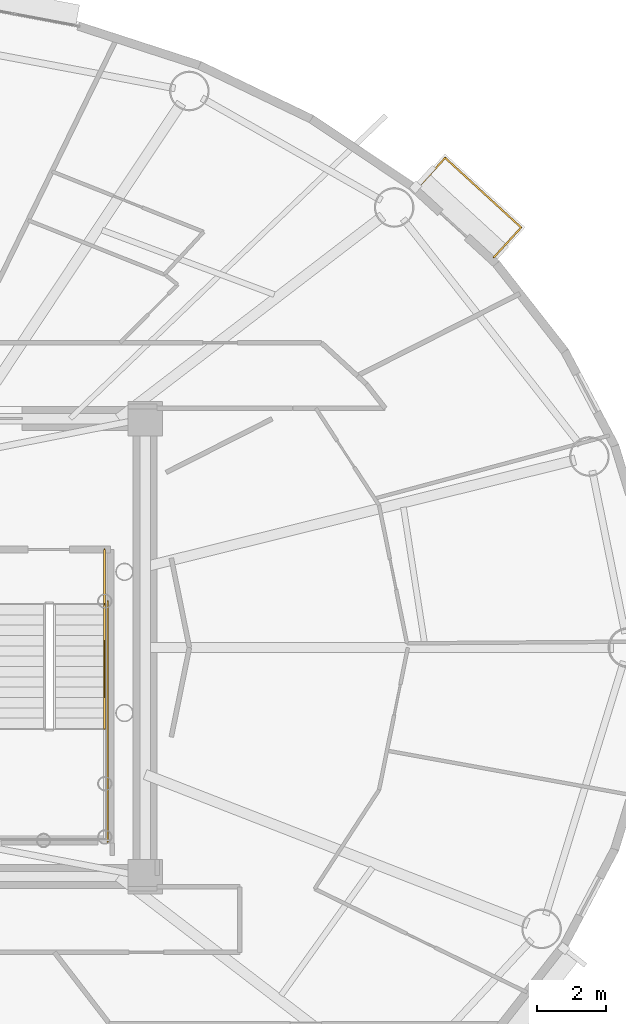
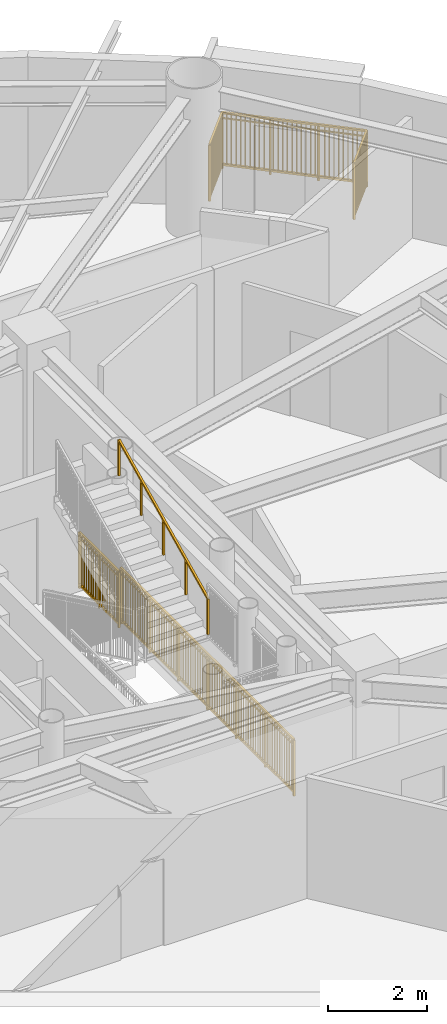
# One storey, part 17 of 18: 4 railings.
"""IFC4 building model written with IfcOpenShell, lengths in metres."""

import ifcopenshell
import ifcopenshell.guid

model = None  # the IFC model being written
_history = None  # IfcOwnerHistory: only IFC2X3 demands one
_inside = {}  # id of a spatial element -> (the spatial element, [elements in it])
_under = {}  # id of a project, library or spatial element -> (it, [spatial elements below it])
_declared = {}  # id of a project -> (the project, [libraries it declares])
_typed = {}  # id of a type object -> (the type object, [elements of that type])
_made_of = {}  # id of a material, layer set ... -> (it, [elements and type objects made of it])


def new_model(schema):
    """Start an empty IFC model of exactly this schema.

    Asked for "IFC4X3", IfcOpenShell would pick the latest addendum, in which some entities
    have other attributes; the version numbers below select the first issue.
    IFC2X3 requires an IfcOwnerHistory on every rooted entity: one is made here for all.
    """
    global model, _history
    if schema == "IFC4X3":
        model = ifcopenshell.file(schema_version=(4, 3, 0, 0))
    else:
        model = ifcopenshell.file(schema=schema)
    _inside.clear()
    _under.clear()
    _declared.clear()
    _typed.clear()
    _made_of.clear()
    _history = None
    if model.schema == "IFC2X3":
        org = make("IfcOrganization", Name="unknown")
        user = make(
            "IfcPersonAndOrganization",
            ThePerson=make("IfcPerson", FamilyName="unknown"),
            TheOrganization=org,
        )
        app = make(
            "IfcApplication",
            ApplicationDeveloper=org,
            Version="unknown",
            ApplicationFullName="unknown",
            ApplicationIdentifier="unknown",
        )
        _history = make(
            "IfcOwnerHistory",
            OwningUser=user,
            OwningApplication=app,
            ChangeAction="ADDED",
            CreationDate=0,
        )
    return model


def make(cls, **values):
    """One entity of the class cls with the attributes given. An attribute that is None is left unset."""
    return model.create_entity(
        cls, **{name: value for name, value in values.items() if value is not None}
    )


def rooted(cls, **values):
    """An entity with a GlobalId (a new one), such as an element, a storey or a relation."""
    return make(cls, GlobalId=ifcopenshell.guid.new(), OwnerHistory=_history, **values)


def si_unit(unit_type, name, prefix=None):
    """IfcSIUnit, for example si_unit("LENGTHUNIT", "METRE", prefix="MILLI")."""
    return make("IfcSIUnit", UnitType=unit_type, Prefix=prefix, Name=name)


def assignment(units):
    """IfcUnitAssignment: the units of a project."""
    return None if units is None else make("IfcUnitAssignment", Units=units)


def point(xyz):
    """IfcCartesianPoint."""
    return None if xyz is None else make("IfcCartesianPoint", Coordinates=xyz)


def direction(xyz):
    """IfcDirection."""
    return None if xyz is None else make("IfcDirection", DirectionRatios=xyz)


def frame(location, z_axis=None, x_axis=None):
    """IfcAxis2Placement3D, a coordinate frame: its origin and axes. An axis left out is left unset."""
    return make(
        "IfcAxis2Placement3D",
        Location=point(location),
        Axis=direction(z_axis),
        RefDirection=direction(x_axis),
    )


def frame_2d(location, x_axis=None):
    """IfcAxis2Placement2D, a coordinate frame in the plane: its origin and x axis."""
    return make(
        "IfcAxis2Placement2D", Location=point(location), RefDirection=direction(x_axis)
    )


def origin():
    """The frame at (0, 0, 0) with its axes left unset."""
    return frame((0.0, 0.0, 0.0))


def origin_2d():
    """The frame at (0, 0) in the plane with its x axis left unset."""
    return frame_2d((0.0, 0.0))


def place(relative_to, where):
    """IfcLocalPlacement: puts the frame where relative to a parent placement (None: the world)."""
    return make(
        "IfcLocalPlacement", PlacementRelTo=relative_to, RelativePlacement=where
    )


def context(
    kind, dimensions, precision=None, world=None, true_north=None, identifier=None
):
    """IfcGeometricRepresentationContext, for example the 3D "Model" context."""
    return make(
        "IfcGeometricRepresentationContext",
        ContextIdentifier=identifier,
        ContextType=kind,
        CoordinateSpaceDimension=dimensions,
        Precision=precision,
        WorldCoordinateSystem=world,
        TrueNorth=true_north,
    )


def subcontext(parent, identifier, kind, view, scale=None):
    """IfcGeometricRepresentationSubContext, for example "Body" below "Model"."""
    return make(
        "IfcGeometricRepresentationSubContext",
        ContextIdentifier=identifier,
        ContextType=kind,
        ParentContext=parent,
        TargetScale=scale,
        TargetView=view,
    )


def project(units=None, contexts=None):
    """IfcProject with its units and contexts."""
    return rooted(
        "IfcProject",
        Name="project",
        RepresentationContexts=contexts,
        UnitsInContext=assignment(units),
    )


def spatial(cls, under=None, at=None, **own):
    """A site, building, storey or space (cls), placed at a placement, below another one or the project."""
    s = rooted(cls, ObjectPlacement=at, **own)
    if under is not None:
        _under.setdefault(under.id(), (under, []))[1].append(s)
    return s


def profile(cls, at=None, kind="AREA", **sizes):
    """A parametric profile (cls). Its sizes go by their IFC names, for example OverallWidth=200.0."""
    return make(cls, ProfileType=kind, Position=at, **sizes)


def rectangle(**sizes):
    """IfcRectangleProfileDef."""
    return profile("IfcRectangleProfileDef", **sizes)


def extrude(swept, where, along, depth):
    """IfcExtrudedAreaSolid: the profile swept, set in the frame where, extruded along a direction by depth."""
    return make(
        "IfcExtrudedAreaSolid",
        SweptArea=swept,
        Position=where,
        ExtrudedDirection=direction(along),
        Depth=depth,
    )


def shape(context_of_items, identifier, shape_type, items):
    """IfcShapeRepresentation: the items that make up one representation, for example the "Body"."""
    return make(
        "IfcShapeRepresentation",
        ContextOfItems=context_of_items,
        RepresentationIdentifier=identifier,
        RepresentationType=shape_type,
        Items=items,
    )


def source(mapping_origin, context_of_items, identifier, shape_type, items):
    """IfcRepresentationMap: a shape defined once, which mapped items show again and again."""
    return make(
        "IfcRepresentationMap",
        MappingOrigin=mapping_origin,
        MappedRepresentation=shape(context_of_items, identifier, shape_type, items),
    )


def transform(
    local_origin,
    x_axis=None,
    y_axis=None,
    z_axis=None,
    scale=None,
    scale2=None,
    scale3=None,
    uniform=True,
):
    """IfcCartesianTransformationOperator3D, or its non-uniform kind. x_axis, y_axis, z_axis: its Axis1, 2, 3."""
    if uniform:
        return make(
            "IfcCartesianTransformationOperator3D",
            Axis1=direction(x_axis),
            Axis2=direction(y_axis),
            LocalOrigin=point(local_origin),
            Scale=scale,
            Axis3=direction(z_axis),
        )
    return make(
        "IfcCartesianTransformationOperator3DnonUniform",
        Axis1=direction(x_axis),
        Axis2=direction(y_axis),
        LocalOrigin=point(local_origin),
        Scale=scale,
        Axis3=direction(z_axis),
        Scale2=scale2,
        Scale3=scale3,
    )


def mapped(mapping_source, mapping_target):
    """IfcMappedItem: shows the shape of a source again, moved by a transform."""
    return make(
        "IfcMappedItem", MappingSource=mapping_source, MappingTarget=mapping_target
    )


def material(Name=None, Category=None):
    """IfcMaterial."""
    return make("IfcMaterial", Name=Name, Category=Category)


def made_of(thing, what):
    """Note that an element or type object is made of a material, layer set ...; save() writes the relation."""
    if what is not None:
        _made_of.setdefault(what.id(), (what, []))[1].append(thing)
    return thing


def type_object(cls, material=None, **own):
    """A type object (cls), such as IfcWallType, which elements share."""
    return made_of(rooted(cls, **own), material)


def element(
    cls,
    number,
    at=None,
    inside=None,
    cuts=None,
    type_object=None,
    material=None,
    context=None,
    identifier="Body",
    shape_type=None,
    held_by="IfcProductDefinitionShape",
    body=None,
    shapes=None,
    **own,
):
    """One element of the class cls, such as IfcWall. Its Tag is "e" and its number.

    at: its placement. inside: the storey or other place that contains it. cuts: it is an
    opening in that element (IfcRelVoidsElement). A single representation is given by context,
    identifier, shape_type and body (its items); several are given by shapes. held_by: the class
    of the entity that holds the representations. save() writes the other relations.
    """
    e = rooted(cls, Tag="e%d" % number, ObjectPlacement=at, **own)
    if body is not None:
        shapes = [shape(context, identifier, shape_type, body)]
    if shapes is not None:
        e.Representation = make(held_by, Representations=shapes)
    if inside is not None:
        _inside.setdefault(inside.id(), (inside, []))[1].append(e)
    if cuts is not None:
        rooted(
            "IfcRelVoidsElement", RelatingBuildingElement=cuts, RelatedOpeningElement=e
        )
    if type_object is not None:
        _typed.setdefault(type_object.id(), (type_object, []))[1].append(e)
    return made_of(e, material)


def aggregate(whole, parts):
    """IfcRelAggregates: a whole, such as a stair, and the parts it consists of."""
    return rooted("IfcRelAggregates", RelatingObject=whole, RelatedObjects=parts)


def save(model, path):
    """Write the relations noted so far, then the file.

    IfcRelAggregates (storeys below a building ...), IfcRelContainedInSpatialStructure (elements
    in a storey), IfcRelDefinesByType, IfcRelAssociatesMaterial and IfcRelDeclares: one each for
    every whole, place, type object, material and project.
    """
    for whole, parts in _under.values():
        aggregate(whole, parts)
    for where, things in _inside.values():
        rooted(
            "IfcRelContainedInSpatialStructure",
            RelatedElements=things,
            RelatingStructure=where,
        )
    for kind, things in _typed.values():
        rooted("IfcRelDefinesByType", RelatedObjects=things, RelatingType=kind)
    for what, things in _made_of.values():
        rooted("IfcRelAssociatesMaterial", RelatedObjects=things, RelatingMaterial=what)
    for by, libraries in _declared.values():
        rooted("IfcRelDeclares", RelatingContext=by, RelatedDefinitions=libraries)
    model.write(path)


model = new_model("IFC4")

# Units and contexts
model_context = context("Model", 3, precision=1e-05, world=origin(), true_north=direction((0.0, 1.0)))
body_context = subcontext(model_context, "Body", "Model", "MODEL_VIEW")
ifc_project = project(units=[si_unit("LENGTHUNIT", "METRE"), si_unit("AREAUNIT", "SQUARE_METRE"), si_unit("VOLUMEUNIT", "CUBIC_METRE"), si_unit("PLANEANGLEUNIT", "RADIAN"), si_unit("MASSUNIT", "GRAM", prefix="KILO")], contexts=[model_context])

# Site, building, storey
site_placement = place(None, origin())
site = spatial("IfcSite", under=ifc_project, at=site_placement, CompositionType="ELEMENT")
building_placement = place(site_placement, origin())
building = spatial("IfcBuilding", under=site, at=building_placement, Name="Linh Dai School and Residence Tower", CompositionType="ELEMENT")
storey_placement = place(building_placement, frame((0.0, 0.0, 225.300048828125)))
storey = spatial("IfcBuildingStorey", under=building, at=storey_placement, Name="L55", CompositionType="ELEMENT", Elevation=225.300048828125)

# Railings
ifc_material_1 = material(Name="Structural Steel S355JR", Category="steel")
railing_type_1 = type_object("IfcRailingType", Name="RL-BAL-1400", PredefinedType="BALUSTRADE", material=ifc_material_1)
shared_shape_1 = source(origin(), body_context, "Body", "SweptSolid", [
    extrude(rectangle(XDim=0.048095703125, YDim=0.048095703125, at=origin_2d()), frame((0.0, 0.0, 1.3759765625), z_axis=(0.675715259685, 0.737162728187, 0.0), x_axis=(-0.737162728187, 0.675715259685, 0.0)), (0.0, 0.0, 1.0), 1.179931640625),
    extrude(rectangle(XDim=0.048095703125, YDim=0.048095703125, at=origin_2d()), frame((0.0, 0.0, 0.10009765625), z_axis=(0.675715259685, 0.737162728187, 0.0), x_axis=(-0.737162728187, 0.675715259685, 0.0)), (0.0, 0.0, 1.0), 1.179931640625),
    extrude(rectangle(XDim=0.030029296875, YDim=0.030029296875, at=origin_2d()), frame((0.0, 0.0, 1.239990234375), z_axis=(0.675715259685, 0.737162728187, 0.0), x_axis=(-0.737162728187, 0.675715259685, 0.0)), (0.0, 0.0, 1.0), 1.179931640625),
    extrude(rectangle(XDim=0.02001953125, YDim=0.02001953125, at=origin_2d()), frame((0.061279296875, 0.06689453125, 0.10009765625)), (0.0, 0.0, 1.0), 1.251708984375),
    extrude(rectangle(XDim=0.02001953125, YDim=0.02001953125, at=origin_2d()), frame((0.12255859375, 0.1337890625, 0.10009765625)), (0.0, 0.0, 1.0), 1.251708984375),
    extrude(rectangle(XDim=0.02001953125, YDim=0.02001953125, at=origin_2d()), frame((0.18408203125, 0.20068359375, 0.10009765625)), (0.0, 0.0, 1.0), 1.251708984375),
    extrude(rectangle(XDim=0.02001953125, YDim=0.02001953125, at=origin_2d()), frame((0.245361328125, 0.267578125, 0.10009765625)), (0.0, 0.0, 1.0), 1.251708984375),
    extrude(rectangle(XDim=0.02001953125, YDim=0.02001953125, at=origin_2d()), frame((0.306640625, 0.33447265625, 0.10009765625)), (0.0, 0.0, 1.0), 1.251708984375),
    extrude(rectangle(XDim=0.02001953125, YDim=0.02001953125, at=origin_2d()), frame((0.367919921875, 0.4013671875, 0.10009765625)), (0.0, 0.0, 1.0), 1.251708984375),
    extrude(rectangle(XDim=0.02001953125, YDim=0.02001953125, at=origin_2d()), frame((0.429443359375, 0.468505859375, 0.10009765625)), (0.0, 0.0, 1.0), 1.251708984375),
    extrude(rectangle(XDim=0.02001953125, YDim=0.02001953125, at=origin_2d()), frame((0.49072265625, 0.535400390625, 0.10009765625)), (0.0, 0.0, 1.0), 1.251708984375),
    extrude(rectangle(XDim=0.02001953125, YDim=0.02001953125, at=origin_2d()), frame((0.552001953125, 0.602294921875, 0.10009765625)), (0.0, 0.0, 1.0), 1.251708984375),
    extrude(rectangle(XDim=0.02001953125, YDim=0.02001953125, at=origin_2d()), frame((0.61328125, 0.669189453125, 0.10009765625)), (0.0, 0.0, 1.0), 1.251708984375),
    extrude(rectangle(XDim=0.02001953125, YDim=0.02001953125, at=origin_2d()), frame((0.6748046875, 0.736083984375, 0.10009765625)), (0.0, 0.0, 1.0), 1.251708984375),
    extrude(rectangle(XDim=0.02001953125, YDim=0.02001953125, at=origin_2d()), frame((0.736083984375, 0.802978515625, 0.10009765625)), (0.0, 0.0, 1.0), 1.251708984375),
    extrude(rectangle(XDim=0.048095703125, YDim=0.048095703125, at=origin_2d()), frame((0.79736328125, 0.869873046875, 1.3759765625), z_axis=(0.737143984648, -0.675735707135, 0.0), x_axis=(0.675735707135, 0.737143984648, 0.0)), (0.0, 0.0, 1.0), 2.99365234375),
    extrude(rectangle(XDim=0.048095703125, YDim=0.048095703125, at=origin_2d()), frame((0.79736328125, 0.869873046875, 0.10009765625), z_axis=(0.737143984648, -0.675735707135, 0.0), x_axis=(0.675735707135, 0.737143984648, 0.0)), (0.0, 0.0, 1.0), 2.99365234375),
    extrude(rectangle(XDim=0.030029296875, YDim=0.030029296875, at=origin_2d()), frame((0.79736328125, 0.869873046875, 1.239990234375), z_axis=(0.737143984648, -0.675735707135, 0.0), x_axis=(0.675735707135, 0.737143984648, 0.0)), (0.0, 0.0, 1.0), 2.99365234375),
    extrude(rectangle(XDim=0.02001953125, YDim=0.02001953125, at=origin_2d()), frame((0.86865234375, 0.8046875, 0.10009765625)), (0.0, 0.0, 1.0), 1.251708984375),
    extrude(rectangle(XDim=0.02001953125, YDim=0.02001953125, at=origin_2d()), frame((0.939697265625, 0.7392578125, 0.10009765625)), (0.0, 0.0, 1.0), 1.251708984375),
    extrude(rectangle(XDim=0.02001953125, YDim=0.02001953125, at=origin_2d()), frame((1.010986328125, 0.674072265625, 0.10009765625)), (0.0, 0.0, 1.0), 1.251708984375),
    extrude(rectangle(XDim=0.02001953125, YDim=0.02001953125, at=origin_2d()), frame((1.08203125, 0.60888671875, 0.10009765625)), (0.0, 0.0, 1.0), 1.251708984375),
    extrude(rectangle(XDim=0.02001953125, YDim=0.02001953125, at=origin_2d()), frame((1.1533203125, 0.543701171875, 0.10009765625)), (0.0, 0.0, 1.0), 1.251708984375),
    extrude(rectangle(XDim=0.02001953125, YDim=0.02001953125, at=origin_2d()), frame((1.224365234375, 0.478271484375, 0.10009765625)), (0.0, 0.0, 1.0), 1.251708984375),
    extrude(rectangle(XDim=0.02001953125, YDim=0.02001953125, at=origin_2d()), frame((1.295654296875, 0.4130859375, 0.10009765625)), (0.0, 0.0, 1.0), 1.251708984375),
    extrude(rectangle(XDim=0.02001953125, YDim=0.02001953125, at=origin_2d()), frame((1.366943359375, 0.347900390625, 0.10009765625)), (0.0, 0.0, 1.0), 1.251708984375),
    extrude(rectangle(XDim=0.02001953125, YDim=0.02001953125, at=origin_2d()), frame((1.43798828125, 0.282470703125, 0.10009765625)), (0.0, 0.0, 1.0), 1.251708984375),
    extrude(rectangle(XDim=0.02001953125, YDim=0.02001953125, at=origin_2d()), frame((1.580322265625, 0.152099609375, 0.10009765625)), (0.0, 0.0, 1.0), 1.251708984375),
    extrude(rectangle(XDim=0.02001953125, YDim=0.02001953125, at=origin_2d()), frame((1.651611328125, 0.0869140625, 0.10009765625)), (0.0, 0.0, 1.0), 1.251708984375),
    extrude(rectangle(XDim=0.02001953125, YDim=0.02001953125, at=origin_2d()), frame((1.722900390625, 0.021484375, 0.10009765625)), (0.0, 0.0, 1.0), 1.251708984375),
    extrude(rectangle(XDim=0.02001953125, YDim=0.02001953125, at=origin_2d()), frame((1.7939453125, -0.043701171875, 0.10009765625)), (0.0, 0.0, 1.0), 1.251708984375),
    extrude(rectangle(XDim=0.02001953125, YDim=0.02001953125, at=origin_2d()), frame((1.865234375, -0.10888671875, 0.10009765625)), (0.0, 0.0, 1.0), 1.251708984375),
    extrude(rectangle(XDim=0.02001953125, YDim=0.02001953125, at=origin_2d()), frame((1.936279296875, -0.17431640625, 0.10009765625)), (0.0, 0.0, 1.0), 1.251708984375),
    extrude(rectangle(XDim=0.02001953125, YDim=0.02001953125, at=origin_2d()), frame((2.007568359375, -0.239501953125, 0.10009765625)), (0.0, 0.0, 1.0), 1.251708984375),
    extrude(rectangle(XDim=0.02001953125, YDim=0.02001953125, at=origin_2d()), frame((2.07861328125, -0.3046875, 0.10009765625)), (0.0, 0.0, 1.0), 1.251708984375),
    extrude(rectangle(XDim=0.02001953125, YDim=0.02001953125, at=origin_2d()), frame((2.14990234375, -0.3701171875, 0.10009765625)), (0.0, 0.0, 1.0), 1.251708984375),
    extrude(rectangle(XDim=0.02001953125, YDim=0.02001953125, at=origin_2d()), frame((2.22119140625, -0.435302734375, 0.10009765625)), (0.0, 0.0, 1.0), 1.251708984375),
    extrude(rectangle(XDim=0.02001953125, YDim=0.02001953125, at=origin_2d()), frame((2.363525390625, -0.565673828125, 0.10009765625)), (0.0, 0.0, 1.0), 1.251708984375),
    extrude(rectangle(XDim=0.02001953125, YDim=0.02001953125, at=origin_2d()), frame((2.4345703125, -0.631103515625, 0.10009765625)), (0.0, 0.0, 1.0), 1.251708984375),
    extrude(rectangle(XDim=0.02001953125, YDim=0.02001953125, at=origin_2d()), frame((2.505859375, -0.6962890625, 0.10009765625)), (0.0, 0.0, 1.0), 1.251708984375),
    extrude(rectangle(XDim=0.02001953125, YDim=0.02001953125, at=origin_2d()), frame((2.5771484375, -0.761474609375, 0.10009765625)), (0.0, 0.0, 1.0), 1.251708984375),
    extrude(rectangle(XDim=0.02001953125, YDim=0.02001953125, at=origin_2d()), frame((2.648193359375, -0.826904296875, 0.10009765625)), (0.0, 0.0, 1.0), 1.251708984375),
    extrude(rectangle(XDim=0.02001953125, YDim=0.02001953125, at=origin_2d()), frame((2.719482421875, -0.89208984375, 0.10009765625)), (0.0, 0.0, 1.0), 1.251708984375),
    extrude(rectangle(XDim=0.02001953125, YDim=0.02001953125, at=origin_2d()), frame((2.79052734375, -0.957275390625, 0.10009765625)), (0.0, 0.0, 1.0), 1.251708984375),
    extrude(rectangle(XDim=0.02001953125, YDim=0.02001953125, at=origin_2d()), frame((2.86181640625, -1.0224609375, 0.10009765625)), (0.0, 0.0, 1.0), 1.251708984375),
    extrude(rectangle(XDim=0.02001953125, YDim=0.02001953125, at=origin_2d()), frame((2.932861328125, -1.087890625, 0.10009765625)), (0.0, 0.0, 1.0), 1.251708984375),
    extrude(rectangle(XDim=0.048095703125, YDim=0.048095703125, at=origin_2d()), frame((3.004150390625, -1.153076171875, 1.3759765625), z_axis=(-0.675715259685, -0.737162728187, 0.0), x_axis=(0.737162728187, -0.675715259685, 0.0)), (0.0, 0.0, 1.0), 1.179931640625),
    extrude(rectangle(XDim=0.048095703125, YDim=0.048095703125, at=origin_2d()), frame((3.004150390625, -1.153076171875, 0.10009765625), z_axis=(-0.675715259685, -0.737162728187, 0.0), x_axis=(0.737162728187, -0.675715259685, 0.0)), (0.0, 0.0, 1.0), 1.179931640625),
    extrude(rectangle(XDim=0.030029296875, YDim=0.030029296875, at=origin_2d()), frame((3.004150390625, -1.153076171875, 1.239990234375), z_axis=(-0.675715259685, -0.737162728187, 0.0), x_axis=(0.737162728187, -0.675715259685, 0.0)), (0.0, 0.0, 1.0), 1.179931640625),
    extrude(rectangle(XDim=0.02001953125, YDim=0.02001953125, at=origin_2d()), frame((2.94287109375, -1.219970703125, 0.10009765625)), (0.0, 0.0, 1.0), 1.251708984375),
    extrude(rectangle(XDim=0.02001953125, YDim=0.02001953125, at=origin_2d()), frame((2.881591796875, -1.286865234375, 0.10009765625)), (0.0, 0.0, 1.0), 1.251708984375),
    extrude(rectangle(XDim=0.02001953125, YDim=0.02001953125, at=origin_2d()), frame((2.820068359375, -1.353759765625, 0.10009765625)), (0.0, 0.0, 1.0), 1.251708984375),
    extrude(rectangle(XDim=0.02001953125, YDim=0.02001953125, at=origin_2d()), frame((2.7587890625, -1.420654296875, 0.10009765625)), (0.0, 0.0, 1.0), 1.251708984375),
    extrude(rectangle(XDim=0.02001953125, YDim=0.02001953125, at=origin_2d()), frame((2.697509765625, -1.487548828125, 0.10009765625)), (0.0, 0.0, 1.0), 1.251708984375),
    extrude(rectangle(XDim=0.02001953125, YDim=0.02001953125, at=origin_2d()), frame((2.63623046875, -1.554443359375, 0.10009765625)), (0.0, 0.0, 1.0), 1.251708984375),
    extrude(rectangle(XDim=0.02001953125, YDim=0.02001953125, at=origin_2d()), frame((2.57470703125, -1.62158203125, 0.10009765625)), (0.0, 0.0, 1.0), 1.251708984375),
    extrude(rectangle(XDim=0.02001953125, YDim=0.02001953125, at=origin_2d()), frame((2.513427734375, -1.6884765625, 0.10009765625)), (0.0, 0.0, 1.0), 1.251708984375),
    extrude(rectangle(XDim=0.02001953125, YDim=0.02001953125, at=origin_2d()), frame((2.4521484375, -1.75537109375, 0.10009765625)), (0.0, 0.0, 1.0), 1.251708984375),
    extrude(rectangle(XDim=0.02001953125, YDim=0.02001953125, at=origin_2d()), frame((2.390869140625, -1.822265625, 0.10009765625)), (0.0, 0.0, 1.0), 1.251708984375),
    extrude(rectangle(XDim=0.02001953125, YDim=0.02001953125, at=origin_2d()), frame((2.329345703125, -1.88916015625, 0.10009765625)), (0.0, 0.0, 1.0), 1.251708984375),
    extrude(rectangle(XDim=0.02001953125, YDim=0.02001953125, at=origin_2d()), frame((2.26806640625, -1.9560546875, 0.10009765625)), (0.0, 0.0, 1.0), 1.251708984375),
    extrude(rectangle(XDim=0.0419921875, YDim=0.0419921875, at=origin_2d()), origin(), (0.0, 0.0, 1.0), 1.3759765625),
    extrude(rectangle(XDim=0.0419921875, YDim=0.0419921875, at=origin_2d()), frame((0.79736328125, 0.869873046875, 0.0)), (0.0, 0.0, 1.0), 1.3759765625),
    extrude(rectangle(XDim=0.0419921875, YDim=0.0419921875, at=origin_2d()), frame((1.532958984375, 0.195556640625, 0.0)), (0.0, 0.0, 1.0), 1.3759765625),
    extrude(rectangle(XDim=0.0419921875, YDim=0.0419921875, at=origin_2d()), frame((2.2685546875, -0.478759765625, 0.0)), (0.0, 0.0, 1.0), 1.3759765625),
    extrude(rectangle(XDim=0.0419921875, YDim=0.0419921875, at=origin_2d()), frame((3.004150390625, -1.153076171875, 0.0)), (0.0, 0.0, 1.0), 1.3759765625),
    extrude(rectangle(XDim=0.0419921875, YDim=0.0419921875, at=origin_2d()), frame((2.206787109375, -2.02294921875, 0.0)), (0.0, 0.0, 1.0), 1.3759765625),
])
railing_1_placement = place(storey_placement, frame((53.366455078125, 40.351806640625, 0.0)))
element("IfcRailing", 1, at=railing_1_placement, inside=storey, type_object=railing_type_1, Name="L55 Balcony Safety Balustrade 05", PredefinedType="BALUSTRADE", context=body_context, shape_type="MappedRepresentation", body=[
    mapped(shared_shape_1, transform((0.0, 0.0, 0.0), x_axis=(1.0, 0.0, 0.0), y_axis=(0.0, 1.0, 0.0), z_axis=(0.0, 0.0, 1.0), scale=1.0)),
])
ifc_material_2 = material(Name="Brushed Stainless Steel Handrail", Category="steel")
railing_type_2 = type_object("IfcRailingType", Name="RL-ST-HANDRAIL-900", PredefinedType="HANDRAIL", material=ifc_material_2)
shared_shape_2 = source(origin(), body_context, "Body", "SweptSolid", [
    extrude(rectangle(XDim=0.048095703125, YDim=0.048095703125, at=origin_2d()), frame((0.0, 0.0, 0.8759765625), z_axis=(0.0, 0.901262522062, 0.433273431364), x_axis=(-1.0, 0.0, 0.0)), (0.0, 0.0, 1.0), 3.994384765625),
    extrude(rectangle(XDim=0.0419921875, YDim=0.0419921875, at=origin_2d()), origin(), (0.0, 0.0, 1.0), 0.8759765625),
    extrude(rectangle(XDim=0.0419921875, YDim=0.0419921875, at=origin_2d()), frame((0.0, 0.89990234375, 0.4326171875)), (0.0, 0.0, 1.0), 0.8759765625),
    extrude(rectangle(XDim=0.0419921875, YDim=0.0419921875, at=origin_2d()), frame((0.0, 1.800048828125, 0.865234375)), (0.0, 0.0, 1.0), 0.8759765625),
    extrude(rectangle(XDim=0.0419921875, YDim=0.0419921875, at=origin_2d()), frame((0.0, 2.7001953125, 1.298095703125)), (0.0, 0.0, 1.0), 0.8759765625),
    extrude(rectangle(XDim=0.0419921875, YDim=0.0419921875, at=origin_2d()), frame((0.0, 3.60009765625, 1.730712890625)), (0.0, 0.0, 1.0), 0.8759765625),
])
railing_2_placement = place(storey_placement, frame((44.27001953125, 24.64990234375, 2.019287109375)))
element("IfcRailing", 2, at=railing_2_placement, inside=storey, type_object=railing_type_2, Name="L55 ST2 stair handrail 2", PredefinedType="HANDRAIL", context=body_context, shape_type="MappedRepresentation", body=[
    mapped(shared_shape_2, transform((0.0, 0.0, 0.0), x_axis=(1.0, 0.0, 0.0), y_axis=(0.0, 1.0, 0.0), z_axis=(0.0, 0.0, 1.0), scale=1.0)),
])
railing_type_3 = type_object("IfcRailingType", Name="RL-ST-GUARD-1400", PredefinedType="GUARDRAIL", material=ifc_material_1)
shared_shape_3 = source(origin(), body_context, "Body", "SweptSolid", [
    extrude(rectangle(XDim=0.048095703125, YDim=0.048095703125, at=origin_2d()), frame((0.0, 0.0, 1.3759765625), z_axis=(0.0, -1.0, 0.0), x_axis=(1.0, 0.0, 0.0)), (0.0, 0.0, 1.0), 1.60009765625),
    extrude(rectangle(XDim=0.048095703125, YDim=0.048095703125, at=origin_2d()), frame((0.0, 0.0, 0.10009765625), z_axis=(0.0, -1.0, 0.0), x_axis=(1.0, 0.0, 0.0)), (0.0, 0.0, 1.0), 1.60009765625),
    extrude(rectangle(XDim=0.030029296875, YDim=0.030029296875, at=origin_2d()), frame((0.0, 0.0, 1.239990234375), z_axis=(0.0, -1.0, 0.0), x_axis=(1.0, 0.0, 0.0)), (0.0, 0.0, 1.0), 1.60009765625),
    extrude(rectangle(XDim=0.02001953125, YDim=0.02001953125, at=origin_2d()), frame((0.0, -0.09423828125, 0.10009765625)), (0.0, 0.0, 1.0), 1.251708984375),
    extrude(rectangle(XDim=0.02001953125, YDim=0.02001953125, at=origin_2d()), frame((0.0, -0.188232421875, 0.10009765625)), (0.0, 0.0, 1.0), 1.251708984375),
    extrude(rectangle(XDim=0.02001953125, YDim=0.02001953125, at=origin_2d()), frame((0.0, -0.282470703125, 0.10009765625)), (0.0, 0.0, 1.0), 1.251708984375),
    extrude(rectangle(XDim=0.02001953125, YDim=0.02001953125, at=origin_2d()), frame((0.0, -0.37646484375, 0.10009765625)), (0.0, 0.0, 1.0), 1.251708984375),
    extrude(rectangle(XDim=0.02001953125, YDim=0.02001953125, at=origin_2d()), frame((0.0, -0.470703125, 0.10009765625)), (0.0, 0.0, 1.0), 1.251708984375),
    extrude(rectangle(XDim=0.02001953125, YDim=0.02001953125, at=origin_2d()), frame((0.0, -0.564697265625, 0.10009765625)), (0.0, 0.0, 1.0), 1.251708984375),
    extrude(rectangle(XDim=0.02001953125, YDim=0.02001953125, at=origin_2d()), frame((0.0, -0.658935546875, 0.10009765625)), (0.0, 0.0, 1.0), 1.251708984375),
    extrude(rectangle(XDim=0.02001953125, YDim=0.02001953125, at=origin_2d()), frame((0.0, -0.7529296875, 0.10009765625)), (0.0, 0.0, 1.0), 1.251708984375),
    extrude(rectangle(XDim=0.02001953125, YDim=0.02001953125, at=origin_2d()), frame((0.0, -0.84716796875, 0.10009765625)), (0.0, 0.0, 1.0), 1.251708984375),
    extrude(rectangle(XDim=0.02001953125, YDim=0.02001953125, at=origin_2d()), frame((0.0, -0.941162109375, 0.10009765625)), (0.0, 0.0, 1.0), 1.251708984375),
    extrude(rectangle(XDim=0.02001953125, YDim=0.02001953125, at=origin_2d()), frame((0.0, -1.035400390625, 0.10009765625)), (0.0, 0.0, 1.0), 1.251708984375),
    extrude(rectangle(XDim=0.02001953125, YDim=0.02001953125, at=origin_2d()), frame((0.0, -1.12939453125, 0.10009765625)), (0.0, 0.0, 1.0), 1.251708984375),
    extrude(rectangle(XDim=0.02001953125, YDim=0.02001953125, at=origin_2d()), frame((0.0, -1.2236328125, 0.10009765625)), (0.0, 0.0, 1.0), 1.251708984375),
    extrude(rectangle(XDim=0.02001953125, YDim=0.02001953125, at=origin_2d()), frame((0.0, -1.317626953125, 0.10009765625)), (0.0, 0.0, 1.0), 1.251708984375),
    extrude(rectangle(XDim=0.02001953125, YDim=0.02001953125, at=origin_2d()), frame((0.0, -1.411865234375, 0.10009765625)), (0.0, 0.0, 1.0), 1.251708984375),
    extrude(rectangle(XDim=0.02001953125, YDim=0.02001953125, at=origin_2d()), frame((0.0, -1.505859375, 0.10009765625)), (0.0, 0.0, 1.0), 1.251708984375),
    extrude(rectangle(XDim=0.0419921875, YDim=0.0419921875, at=origin_2d()), origin(), (0.0, 0.0, 1.0), 1.3759765625),
    extrude(rectangle(XDim=0.0419921875, YDim=0.0419921875, at=origin_2d()), frame((0.0, -0.800048828125, 0.0)), (0.0, 0.0, 1.0), 1.3759765625),
    extrude(rectangle(XDim=0.0419921875, YDim=0.0419921875, at=origin_2d()), frame((0.0, -1.60009765625, 0.0)), (0.0, 0.0, 1.0), 1.3759765625),
])
railing_3_placement = place(storey_placement, frame((44.27001953125, 29.85009765625, 0.0)))
element("IfcRailing", 3, at=railing_3_placement, inside=storey, type_object=railing_type_3, Name="L55 ST2 stair guard 9", PredefinedType="GUARDRAIL", context=body_context, shape_type="MappedRepresentation", body=[
    mapped(shared_shape_3, transform((0.0, 0.0, 0.0), x_axis=(1.0, 0.0, 0.0), y_axis=(0.0, 1.0, 0.0), z_axis=(0.0, 0.0, 1.0), scale=1.0)),
])
shared_shape_4 = source(origin(), body_context, "Body", "SweptSolid", [
    extrude(rectangle(XDim=0.048095703125, YDim=0.048095703125, at=origin_2d()), frame((0.0, 0.0, 1.3759765625), z_axis=(0.0, -1.0, 0.0), x_axis=(1.0, 0.0, 0.0)), (0.0, 0.0, 1.0), 7.0),
    extrude(rectangle(XDim=0.048095703125, YDim=0.048095703125, at=origin_2d()), frame((0.0, 0.0, 0.10009765625), z_axis=(0.0, -1.0, 0.0), x_axis=(1.0, 0.0, 0.0)), (0.0, 0.0, 1.0), 7.0),
    extrude(rectangle(XDim=0.030029296875, YDim=0.030029296875, at=origin_2d()), frame((0.0, 0.0, 1.239990234375), z_axis=(0.0, -1.0, 0.0), x_axis=(1.0, 0.0, 0.0)), (0.0, 0.0, 1.0), 7.0),
    extrude(rectangle(XDim=0.02001953125, YDim=0.02001953125, at=origin_2d()), frame((0.0, -0.09716796875, 0.10009765625)), (0.0, 0.0, 1.0), 1.251708984375),
    extrude(rectangle(XDim=0.02001953125, YDim=0.02001953125, at=origin_2d()), frame((0.0, -0.1943359375, 0.10009765625)), (0.0, 0.0, 1.0), 1.251708984375),
    extrude(rectangle(XDim=0.02001953125, YDim=0.02001953125, at=origin_2d()), frame((0.0, -0.291748046875, 0.10009765625)), (0.0, 0.0, 1.0), 1.251708984375),
    extrude(rectangle(XDim=0.02001953125, YDim=0.02001953125, at=origin_2d()), frame((0.0, -0.388916015625, 0.10009765625)), (0.0, 0.0, 1.0), 1.251708984375),
    extrude(rectangle(XDim=0.02001953125, YDim=0.02001953125, at=origin_2d()), frame((0.0, -0.486083984375, 0.10009765625)), (0.0, 0.0, 1.0), 1.251708984375),
    extrude(rectangle(XDim=0.02001953125, YDim=0.02001953125, at=origin_2d()), frame((0.0, -0.583251953125, 0.10009765625)), (0.0, 0.0, 1.0), 1.251708984375),
    extrude(rectangle(XDim=0.02001953125, YDim=0.02001953125, at=origin_2d()), frame((0.0, -0.6806640625, 0.10009765625)), (0.0, 0.0, 1.0), 1.251708984375),
    extrude(rectangle(XDim=0.02001953125, YDim=0.02001953125, at=origin_2d()), frame((0.0, -0.77783203125, 0.10009765625)), (0.0, 0.0, 1.0), 1.251708984375),
    extrude(rectangle(XDim=0.02001953125, YDim=0.02001953125, at=origin_2d()), frame((0.0, -0.875, 0.10009765625)), (0.0, 0.0, 1.0), 1.251708984375),
    extrude(rectangle(XDim=0.02001953125, YDim=0.02001953125, at=origin_2d()), frame((0.0, -0.97216796875, 0.10009765625)), (0.0, 0.0, 1.0), 1.251708984375),
    extrude(rectangle(XDim=0.02001953125, YDim=0.02001953125, at=origin_2d()), frame((0.0, -1.0693359375, 0.10009765625)), (0.0, 0.0, 1.0), 1.251708984375),
    extrude(rectangle(XDim=0.02001953125, YDim=0.02001953125, at=origin_2d()), frame((0.0, -1.263916015625, 0.10009765625)), (0.0, 0.0, 1.0), 1.251708984375),
    extrude(rectangle(XDim=0.02001953125, YDim=0.02001953125, at=origin_2d()), frame((0.0, -1.361083984375, 0.10009765625)), (0.0, 0.0, 1.0), 1.251708984375),
    extrude(rectangle(XDim=0.02001953125, YDim=0.02001953125, at=origin_2d()), frame((0.0, -1.458251953125, 0.10009765625)), (0.0, 0.0, 1.0), 1.251708984375),
    extrude(rectangle(XDim=0.02001953125, YDim=0.02001953125, at=origin_2d()), frame((0.0, -1.5556640625, 0.10009765625)), (0.0, 0.0, 1.0), 1.251708984375),
    extrude(rectangle(XDim=0.02001953125, YDim=0.02001953125, at=origin_2d()), frame((0.0, -1.65283203125, 0.10009765625)), (0.0, 0.0, 1.0), 1.251708984375),
    extrude(rectangle(XDim=0.02001953125, YDim=0.02001953125, at=origin_2d()), frame((0.0, -1.75, 0.10009765625)), (0.0, 0.0, 1.0), 1.251708984375),
    extrude(rectangle(XDim=0.02001953125, YDim=0.02001953125, at=origin_2d()), frame((0.0, -1.84716796875, 0.10009765625)), (0.0, 0.0, 1.0), 1.251708984375),
    extrude(rectangle(XDim=0.02001953125, YDim=0.02001953125, at=origin_2d()), frame((0.0, -1.9443359375, 0.10009765625)), (0.0, 0.0, 1.0), 1.251708984375),
    extrude(rectangle(XDim=0.02001953125, YDim=0.02001953125, at=origin_2d()), frame((0.0, -2.041748046875, 0.10009765625)), (0.0, 0.0, 1.0), 1.251708984375),
    extrude(rectangle(XDim=0.02001953125, YDim=0.02001953125, at=origin_2d()), frame((0.0, -2.138916015625, 0.10009765625)), (0.0, 0.0, 1.0), 1.251708984375),
    extrude(rectangle(XDim=0.02001953125, YDim=0.02001953125, at=origin_2d()), frame((0.0, -2.236083984375, 0.10009765625)), (0.0, 0.0, 1.0), 1.251708984375),
    extrude(rectangle(XDim=0.02001953125, YDim=0.02001953125, at=origin_2d()), frame((0.0, -2.4306640625, 0.10009765625)), (0.0, 0.0, 1.0), 1.251708984375),
    extrude(rectangle(XDim=0.02001953125, YDim=0.02001953125, at=origin_2d()), frame((0.0, -2.52783203125, 0.10009765625)), (0.0, 0.0, 1.0), 1.251708984375),
    extrude(rectangle(XDim=0.02001953125, YDim=0.02001953125, at=origin_2d()), frame((0.0, -2.625, 0.10009765625)), (0.0, 0.0, 1.0), 1.251708984375),
    extrude(rectangle(XDim=0.02001953125, YDim=0.02001953125, at=origin_2d()), frame((0.0, -2.72216796875, 0.10009765625)), (0.0, 0.0, 1.0), 1.251708984375),
    extrude(rectangle(XDim=0.02001953125, YDim=0.02001953125, at=origin_2d()), frame((0.0, -2.8193359375, 0.10009765625)), (0.0, 0.0, 1.0), 1.251708984375),
    extrude(rectangle(XDim=0.02001953125, YDim=0.02001953125, at=origin_2d()), frame((0.0, -2.916748046875, 0.10009765625)), (0.0, 0.0, 1.0), 1.251708984375),
    extrude(rectangle(XDim=0.02001953125, YDim=0.02001953125, at=origin_2d()), frame((0.0, -3.013916015625, 0.10009765625)), (0.0, 0.0, 1.0), 1.251708984375),
    extrude(rectangle(XDim=0.02001953125, YDim=0.02001953125, at=origin_2d()), frame((0.0, -3.111083984375, 0.10009765625)), (0.0, 0.0, 1.0), 1.251708984375),
    extrude(rectangle(XDim=0.02001953125, YDim=0.02001953125, at=origin_2d()), frame((0.0, -3.208251953125, 0.10009765625)), (0.0, 0.0, 1.0), 1.251708984375),
    extrude(rectangle(XDim=0.02001953125, YDim=0.02001953125, at=origin_2d()), frame((0.0, -3.3056640625, 0.10009765625)), (0.0, 0.0, 1.0), 1.251708984375),
    extrude(rectangle(XDim=0.02001953125, YDim=0.02001953125, at=origin_2d()), frame((0.0, -3.40283203125, 0.10009765625)), (0.0, 0.0, 1.0), 1.251708984375),
    extrude(rectangle(XDim=0.02001953125, YDim=0.02001953125, at=origin_2d()), frame((0.0, -3.59716796875, 0.10009765625)), (0.0, 0.0, 1.0), 1.251708984375),
    extrude(rectangle(XDim=0.02001953125, YDim=0.02001953125, at=origin_2d()), frame((0.0, -3.6943359375, 0.10009765625)), (0.0, 0.0, 1.0), 1.251708984375),
    extrude(rectangle(XDim=0.02001953125, YDim=0.02001953125, at=origin_2d()), frame((0.0, -3.791748046875, 0.10009765625)), (0.0, 0.0, 1.0), 1.251708984375),
    extrude(rectangle(XDim=0.02001953125, YDim=0.02001953125, at=origin_2d()), frame((0.0, -3.888916015625, 0.10009765625)), (0.0, 0.0, 1.0), 1.251708984375),
    extrude(rectangle(XDim=0.02001953125, YDim=0.02001953125, at=origin_2d()), frame((0.0, -3.986083984375, 0.10009765625)), (0.0, 0.0, 1.0), 1.251708984375),
    extrude(rectangle(XDim=0.02001953125, YDim=0.02001953125, at=origin_2d()), frame((0.0, -4.083251953125, 0.10009765625)), (0.0, 0.0, 1.0), 1.251708984375),
    extrude(rectangle(XDim=0.02001953125, YDim=0.02001953125, at=origin_2d()), frame((0.0, -4.1806640625, 0.10009765625)), (0.0, 0.0, 1.0), 1.251708984375),
    extrude(rectangle(XDim=0.02001953125, YDim=0.02001953125, at=origin_2d()), frame((0.0, -4.27783203125, 0.10009765625)), (0.0, 0.0, 1.0), 1.251708984375),
    extrude(rectangle(XDim=0.02001953125, YDim=0.02001953125, at=origin_2d()), frame((0.0, -4.375, 0.10009765625)), (0.0, 0.0, 1.0), 1.251708984375),
    extrude(rectangle(XDim=0.02001953125, YDim=0.02001953125, at=origin_2d()), frame((0.0, -4.47216796875, 0.10009765625)), (0.0, 0.0, 1.0), 1.251708984375),
    extrude(rectangle(XDim=0.02001953125, YDim=0.02001953125, at=origin_2d()), frame((0.0, -4.5693359375, 0.10009765625)), (0.0, 0.0, 1.0), 1.251708984375),
    extrude(rectangle(XDim=0.02001953125, YDim=0.02001953125, at=origin_2d()), frame((0.0, -4.763916015625, 0.10009765625)), (0.0, 0.0, 1.0), 1.251708984375),
    extrude(rectangle(XDim=0.02001953125, YDim=0.02001953125, at=origin_2d()), frame((0.0, -4.861083984375, 0.10009765625)), (0.0, 0.0, 1.0), 1.251708984375),
    extrude(rectangle(XDim=0.02001953125, YDim=0.02001953125, at=origin_2d()), frame((0.0, -4.958251953125, 0.10009765625)), (0.0, 0.0, 1.0), 1.251708984375),
    extrude(rectangle(XDim=0.02001953125, YDim=0.02001953125, at=origin_2d()), frame((0.0, -5.0556640625, 0.10009765625)), (0.0, 0.0, 1.0), 1.251708984375),
    extrude(rectangle(XDim=0.02001953125, YDim=0.02001953125, at=origin_2d()), frame((0.0, -5.15283203125, 0.10009765625)), (0.0, 0.0, 1.0), 1.251708984375),
    extrude(rectangle(XDim=0.02001953125, YDim=0.02001953125, at=origin_2d()), frame((0.0, -5.25, 0.10009765625)), (0.0, 0.0, 1.0), 1.251708984375),
    extrude(rectangle(XDim=0.02001953125, YDim=0.02001953125, at=origin_2d()), frame((0.0, -5.34716796875, 0.10009765625)), (0.0, 0.0, 1.0), 1.251708984375),
    extrude(rectangle(XDim=0.02001953125, YDim=0.02001953125, at=origin_2d()), frame((0.0, -5.4443359375, 0.10009765625)), (0.0, 0.0, 1.0), 1.251708984375),
    extrude(rectangle(XDim=0.02001953125, YDim=0.02001953125, at=origin_2d()), frame((0.0, -5.541748046875, 0.10009765625)), (0.0, 0.0, 1.0), 1.251708984375),
    extrude(rectangle(XDim=0.02001953125, YDim=0.02001953125, at=origin_2d()), frame((0.0, -5.638916015625, 0.10009765625)), (0.0, 0.0, 1.0), 1.251708984375),
    extrude(rectangle(XDim=0.02001953125, YDim=0.02001953125, at=origin_2d()), frame((0.0, -5.736083984375, 0.10009765625)), (0.0, 0.0, 1.0), 1.251708984375),
    extrude(rectangle(XDim=0.02001953125, YDim=0.02001953125, at=origin_2d()), frame((0.0, -5.9306640625, 0.10009765625)), (0.0, 0.0, 1.0), 1.251708984375),
    extrude(rectangle(XDim=0.02001953125, YDim=0.02001953125, at=origin_2d()), frame((0.0, -6.02783203125, 0.10009765625)), (0.0, 0.0, 1.0), 1.251708984375),
    extrude(rectangle(XDim=0.02001953125, YDim=0.02001953125, at=origin_2d()), frame((0.0, -6.125, 0.10009765625)), (0.0, 0.0, 1.0), 1.251708984375),
    extrude(rectangle(XDim=0.02001953125, YDim=0.02001953125, at=origin_2d()), frame((0.0, -6.22216796875, 0.10009765625)), (0.0, 0.0, 1.0), 1.251708984375),
    extrude(rectangle(XDim=0.02001953125, YDim=0.02001953125, at=origin_2d()), frame((0.0, -6.3193359375, 0.10009765625)), (0.0, 0.0, 1.0), 1.251708984375),
    extrude(rectangle(XDim=0.02001953125, YDim=0.02001953125, at=origin_2d()), frame((0.0, -6.416748046875, 0.10009765625)), (0.0, 0.0, 1.0), 1.251708984375),
    extrude(rectangle(XDim=0.02001953125, YDim=0.02001953125, at=origin_2d()), frame((0.0, -6.513916015625, 0.10009765625)), (0.0, 0.0, 1.0), 1.251708984375),
    extrude(rectangle(XDim=0.02001953125, YDim=0.02001953125, at=origin_2d()), frame((0.0, -6.611083984375, 0.10009765625)), (0.0, 0.0, 1.0), 1.251708984375),
    extrude(rectangle(XDim=0.02001953125, YDim=0.02001953125, at=origin_2d()), frame((0.0, -6.708251953125, 0.10009765625)), (0.0, 0.0, 1.0), 1.251708984375),
    extrude(rectangle(XDim=0.02001953125, YDim=0.02001953125, at=origin_2d()), frame((0.0, -6.8056640625, 0.10009765625)), (0.0, 0.0, 1.0), 1.251708984375),
    extrude(rectangle(XDim=0.02001953125, YDim=0.02001953125, at=origin_2d()), frame((0.0, -6.90283203125, 0.10009765625)), (0.0, 0.0, 1.0), 1.251708984375),
    extrude(rectangle(XDim=0.0419921875, YDim=0.0419921875, at=origin_2d()), origin(), (0.0, 0.0, 1.0), 1.3759765625),
    extrude(rectangle(XDim=0.0419921875, YDim=0.0419921875, at=origin_2d()), frame((0.0, -1.166748046875, 0.0)), (0.0, 0.0, 1.0), 1.3759765625),
    extrude(rectangle(XDim=0.0419921875, YDim=0.0419921875, at=origin_2d()), frame((0.0, -2.333251953125, 0.0)), (0.0, 0.0, 1.0), 1.3759765625),
    extrude(rectangle(XDim=0.0419921875, YDim=0.0419921875, at=origin_2d()), frame((0.0, -3.5, 0.0)), (0.0, 0.0, 1.0), 1.3759765625),
    extrude(rectangle(XDim=0.0419921875, YDim=0.0419921875, at=origin_2d()), frame((0.0, -4.666748046875, 0.0)), (0.0, 0.0, 1.0), 1.3759765625),
    extrude(rectangle(XDim=0.0419921875, YDim=0.0419921875, at=origin_2d()), frame((0.0, -5.833251953125, 0.0)), (0.0, 0.0, 1.0), 1.3759765625),
    extrude(rectangle(XDim=0.0419921875, YDim=0.0419921875, at=origin_2d()), frame((0.0, -7.0, 0.0)), (0.0, 0.0, 1.0), 1.3759765625),
])
railing_4_placement = place(storey_placement, frame((44.3701171875, 28.35009765625, 0.0)))
element("IfcRailing", 4, at=railing_4_placement, inside=storey, type_object=railing_type_3, Name="L55 ST2 stair guard 11", PredefinedType="GUARDRAIL", context=body_context, shape_type="MappedRepresentation", body=[
    mapped(shared_shape_4, transform((0.0, 0.0, 0.0), x_axis=(1.0, 0.0, 0.0), y_axis=(0.0, 1.0, 0.0), z_axis=(0.0, 0.0, 1.0), scale=1.0)),
])

save(model, "model.ifc")
